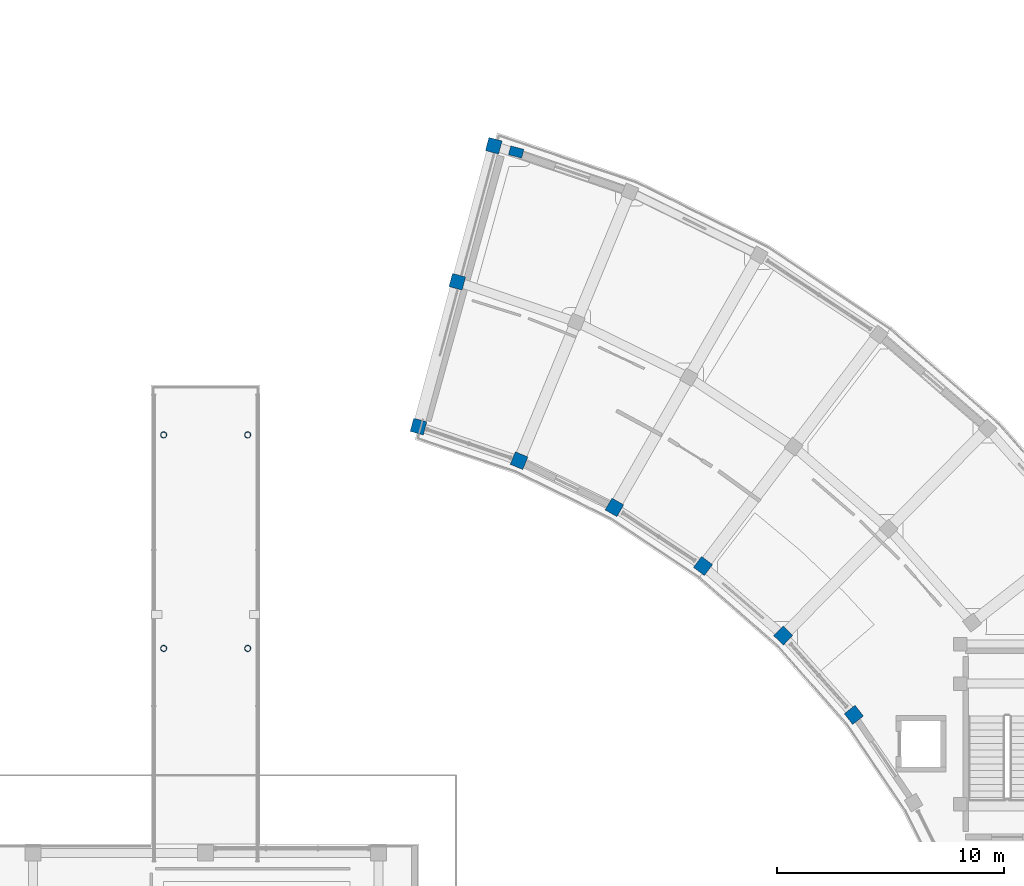
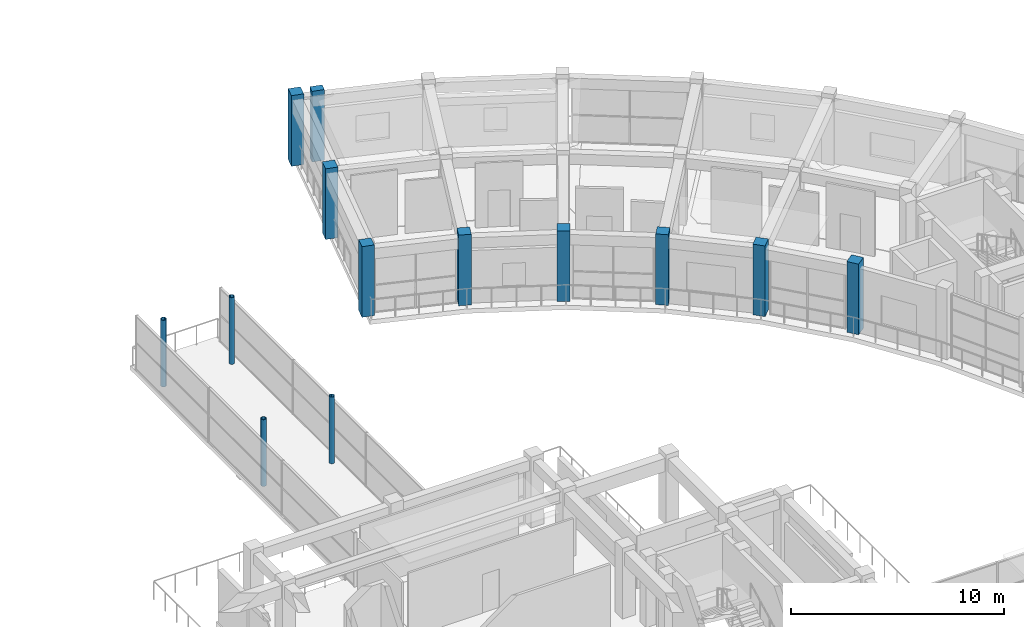
# One storey, part 9 of 53: 13 columns.
"""IFC4 building model written with IfcOpenShell, lengths in metres."""

from ifc_helpers import new_model, si_unit, direction, frame, origin, origin_2d, place, context, subcontext, project, spatial, rectangle, hollow_circle, extrude, material, material_profile, profile_set, type_object, element, save


model = new_model("IFC4")

# Units and contexts
model_context = context("Model", 3, precision=1e-05, world=origin(), true_north=direction((0.0, 1.0)))
body_context = subcontext(model_context, "Body", "Model", "MODEL_VIEW")
ifc_project = project(units=[si_unit("LENGTHUNIT", "METRE"), si_unit("AREAUNIT", "SQUARE_METRE"), si_unit("VOLUMEUNIT", "CUBIC_METRE"), si_unit("PLANEANGLEUNIT", "RADIAN"), si_unit("MASSUNIT", "GRAM", prefix="KILO")], contexts=[model_context])

# Site, building, storey
site_placement = place(None, origin())
site = spatial("IfcSite", under=ifc_project, at=site_placement, CompositionType="ELEMENT")
building_placement = place(site_placement, origin())
building = spatial("IfcBuilding", under=site, at=building_placement, Name="Saryqyr Civic Hall", CompositionType="ELEMENT")
storey_placement = place(building_placement, frame((0.0, 0.0, 21.300048828125)))
storey = spatial("IfcBuildingStorey", under=building, at=storey_placement, Name="L05", CompositionType="ELEMENT", Elevation=21.300048828125)

# Columns
ifc_material_1 = material(Name="Steel S355", Category="steel")
ifc_material_profile_1 = material_profile(ifc_material_1, hollow_circle(Radius=0.136474609375, WallThickness=0.01611328125, at=origin_2d()), Name="CHS 273x16")
ifc_profile_set_1 = profile_set([ifc_material_profile_1], Name="Steel S355")
column_type_1 = type_object("IfcColumnType", Name="STR-COL-CHS273-S355", PredefinedType="COLUMN", material=ifc_profile_set_1)
for number, where, z_axis, x_axis, name in (
    (1, (55.14990234375, 109.199951171875, 0.0), (0.0, 0.0, 1.0), (1.0, 0.0, 0.0), "Column BRCOL-BR-CN-1-L05"),
    (2, (58.85009765625, 109.199951171875, 0.0), (0.0, 0.0, 1.0), (1.0, 0.0, 0.0), "Column BRCOL-BR-CN-2-L05"),
    (3, (58.85009765625, 118.60009765625, 0.0), (0.0, 0.0, 1.0), (1.0, 0.0, 0.0), "Column BRCOL-BR-CN-3-L05"),
    (4, (55.14990234375, 118.60009765625, 0.0), (0.0, 0.0, 1.0), (1.0, 0.0, 0.0), "Column BRCOL-BR-CN-4-L05"),
):
    element("IfcColumn", number, at=place(storey_placement, frame(where, z_axis=z_axis, x_axis=x_axis)), inside=storey, type_object=column_type_1, Name=name, PredefinedType="COLUMN", context=body_context, shape_type="SweptSolid", body=[
        extrude(hollow_circle(Radius=0.136474609375, WallThickness=0.01611328125, at=origin_2d()), origin(), (0.0, 0.0, 1.0), 3.820068359375),
    ])
ifc_material_2 = material(Name="Concrete C40/50", Category="concrete")
ifc_material_profile_2 = material_profile(ifc_material_2, rectangle(XDim=0.60009765625, YDim=0.60009765625, at=origin_2d()), Name="RC 600x600")
ifc_profile_set_2 = profile_set([ifc_material_profile_2], Name="Concrete C40/50")
column_type_2 = type_object("IfcColumnType", Name="STR-COL-RC600-C40", PredefinedType="COLUMN", material=ifc_profile_set_2)
for number, where, z_axis, x_axis, name in (
    (5, (85.53564453125, 106.2744140625, 0.0), (0.0, 0.0, 1.0), (0.78822561199, 0.615386370179, 0.0), "Column V6-COL-IN05-L05"),
    (6, (82.427001953125, 109.7666015625, 0.0), (0.0, 0.0, 1.0), (0.70240155419, 0.711780904964, 0.0), "Column V6-COL-IN06-L05"),
    (7, (78.89404296875, 112.82861328125, 0.0), (0.0, 0.0, 1.0), (0.60473812635, 0.796424383441, 0.0), "Column V6-COL-IN07-L05"),
    (8, (74.995849609375, 115.409912109375, 0.0), (0.0, 0.0, 1.0), (0.4971254071, 0.867678701833, 0.0), "Column V6-COL-IN08-L05"),
    (9, (70.797607421875, 117.46728515625, 0.0), (0.0, 0.0, 1.0), (0.381231734269, 0.924479510204, 0.0), "Column V6-COL-IN09-L05"),
    (10, (66.369140625, 118.966552734375, 0.0), (0.0, 0.0, 1.0), (0.258819045103, 0.965925826289, 0.0), "Column V6-COL-IN10-L05"),
    (11, (68.077392578125, 125.341552734375, 0.0), (0.0, 0.0, 1.0), (0.258819045103, 0.965925826289, 0.0), "Column V6-COL-MID10-L05"),
    (12, (69.68212890625, 131.330322265625, 0.0), (0.0, 0.0, 1.0), (0.258819045103, 0.965925826289, 0.0), "Column V6-COL-OUT10-L05"),
):
    element("IfcColumn", number, at=place(storey_placement, frame(where, z_axis=z_axis, x_axis=x_axis)), inside=storey, type_object=column_type_2, Name=name, PredefinedType="COLUMN", context=body_context, shape_type="SweptSolid", body=[
        extrude(rectangle(XDim=0.60009765625, YDim=0.60009765625, at=origin_2d()), origin(), (0.0, 0.0, 1.0), 4.050048828125),
    ])
ifc_material_profile_3 = material_profile(ifc_material_2, rectangle(XDim=0.39990234375, YDim=0.60009765625, at=origin_2d()), Name="RC 400x600")
ifc_profile_set_3 = profile_set([ifc_material_profile_3], Name="Concrete C40/50")
column_type_3 = type_object("IfcColumnType", Name="STR-PIL-RC400x600-EXT", PredefinedType="PILASTER", material=ifc_profile_set_3)
column_placement = place(storey_placement, frame((70.670654296875, 131.054443359375, 0.0), z_axis=(0.0, 0.0, 1.0), x_axis=(0.258819045103, 0.965925826289, 0.0)))
element("IfcColumn", 13, at=column_placement, inside=storey, type_object=column_type_3, Name="Column V6-PIL-10-L05", PredefinedType="PILASTER", context=body_context, shape_type="SweptSolid", body=[
    extrude(rectangle(XDim=0.39990234375, YDim=0.60009765625, at=origin_2d()), origin(), (0.0, 0.0, 1.0), 4.050048828125),
])

save(model, "model.ifc")
